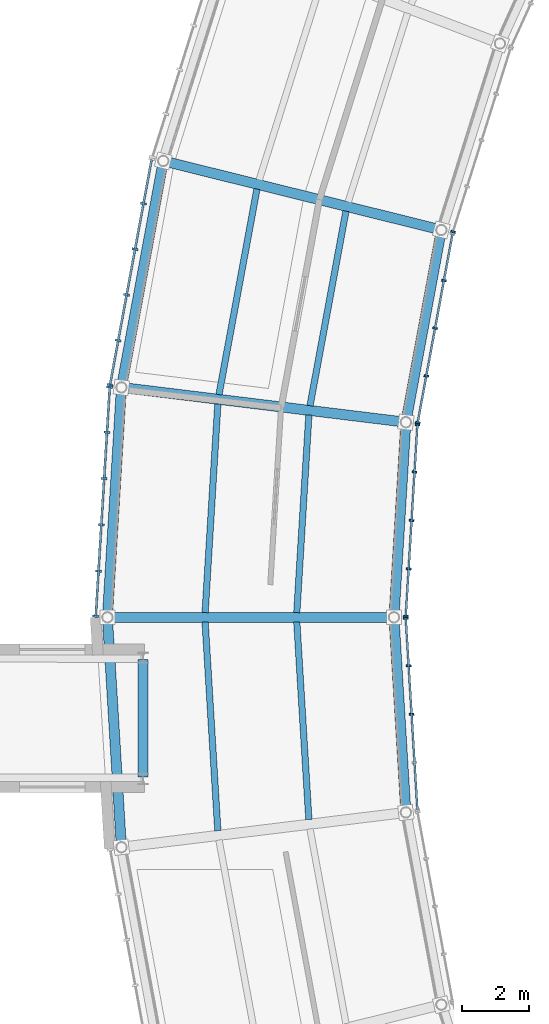
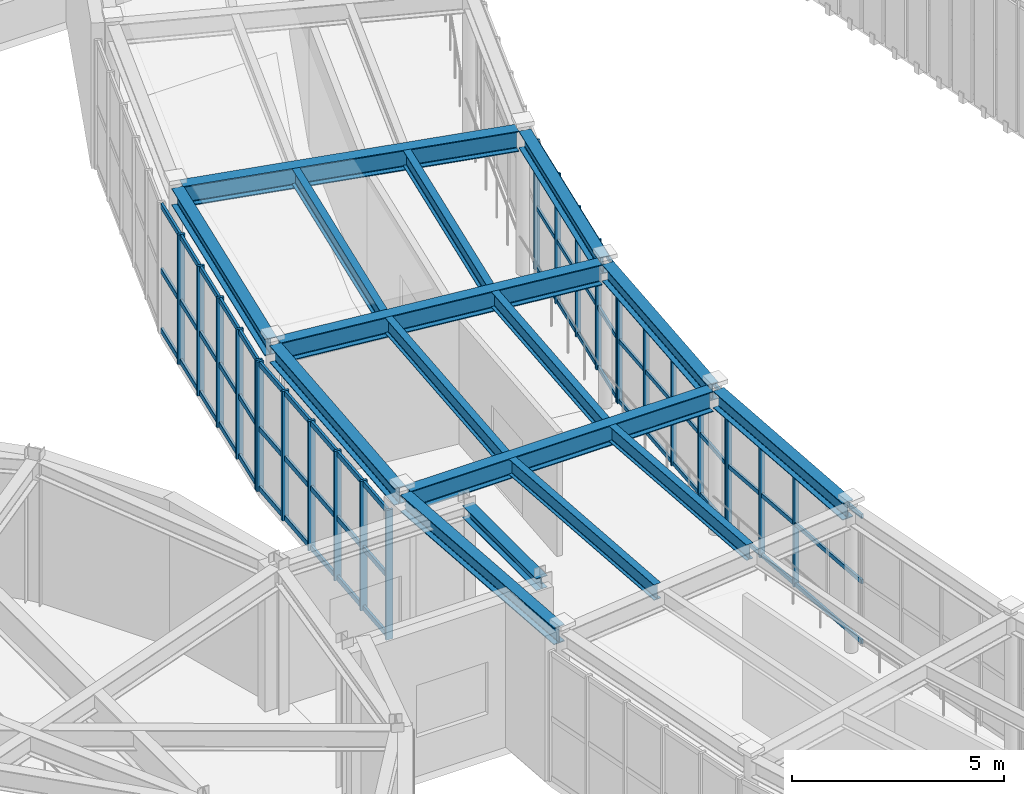
# One storey, part 24 of 103: 39 members, 16 beams, 6 elements without a shape of their own.
"""IFC4 building model written with IfcOpenShell, lengths in metres."""

from ifc_helpers import new_model, si_unit, direction, frame, origin, origin_2d, place, context, subcontext, project, spatial, rectangle, i_section, extrude, material, material_profile, profile_set, type_object, element, aggregate, save


model = new_model("IFC4")

# Units and contexts
model_context = context("Model", 3, precision=1e-05, world=origin(), true_north=direction((0.0, 1.0)))
body_context = subcontext(model_context, "Body", "Model", "MODEL_VIEW")
ifc_project = project(units=[si_unit("LENGTHUNIT", "METRE"), si_unit("AREAUNIT", "SQUARE_METRE"), si_unit("VOLUMEUNIT", "CUBIC_METRE"), si_unit("PLANEANGLEUNIT", "RADIAN"), si_unit("MASSUNIT", "GRAM", prefix="KILO")], contexts=[model_context])

# Site, building, storey
site_placement = place(None, origin())
site = spatial("IfcSite", under=ifc_project, at=site_placement, CompositionType="ELEMENT")
building_placement = place(site_placement, origin())
building = spatial("IfcBuilding", under=site, at=building_placement, Name="Varnklinge Art Gallery", CompositionType="ELEMENT")
storey_placement = place(building_placement, frame((0.0, 0.0, 5.10009765625)))
storey = spatial("IfcBuildingStorey", under=building, at=storey_placement, Name="L01", CompositionType="ELEMENT", Elevation=5.10009765625)

# Beams
ifc_material_1 = material(Name="Steel S355", Category="steel")
ifc_material_profile_1 = material_profile(ifc_material_1, i_section(OverallWidth=0.300048828125, OverallDepth=0.590087890625, WebThickness=0.012939453125, FlangeThickness=0.02490234375, FilletRadius=0.027099609375, at=origin_2d()), Name="HEA 600")
ifc_profile_set_1 = profile_set([ifc_material_profile_1], Name="Steel S355")
beam_type_1 = type_object("IfcBeamType", Name="BM-06", PredefinedType="BEAM", material=ifc_profile_set_1)
beam_1_placement = place(storey_placement, frame((41.53759765625, 68.531982421875, 3.885009765625), z_axis=(0.970493677731, -0.241126567355, 0.0), x_axis=(0.241126567355, 0.970493677731, 0.0)))
element("IfcBeam", 1, at=beam_1_placement, inside=storey, type_object=beam_type_1, Name="L01 BM-06 BM-V2-L02-R25", PredefinedType="BEAM", context=body_context, shape_type="SweptSolid", body=[
    extrude(i_section(OverallWidth=0.300048828125, OverallDepth=0.590087890625, WebThickness=0.012939453125, FlangeThickness=0.02490234375, FilletRadius=0.027099609375, at=origin_2d()), origin(), (0.0, 0.0, 1.0), 8.236572265625),
])
for number, where, z_axis, x_axis, name in (
    (2, (40.297119140625, 61.81640625, 3.885009765625), (0.992595580805, -0.121466098009, 0.0), (0.121466098009, 0.992595580805, 0.0), "L01 BM-06 BM-V2-L02-R26"),
    (3, (39.881591796875, 55.0, 3.885009765625), (1.0, 0.0, 0.0), (0.0, 1.0, 0.0), "L01 BM-06 BM-V2-L02-R27"),
):
    element("IfcBeam", number, at=place(storey_placement, frame(where, z_axis=z_axis, x_axis=x_axis)), inside=storey, type_object=beam_type_1, Name=name, PredefinedType="BEAM", context=body_context, shape_type="SweptSolid", body=[
        extrude(i_section(OverallWidth=0.300048828125, OverallDepth=0.590087890625, WebThickness=0.012939453125, FlangeThickness=0.02490234375, FilletRadius=0.027099609375, at=origin_2d()), origin(), (0.0, 0.0, 1.0), 8.23681640625),
    ])
ifc_material_2 = material(Name="Steel S355", Category="steel")
ifc_material_profile_2 = material_profile(ifc_material_2, i_section(OverallWidth=0.300048828125, OverallDepth=0.35009765625, WebThickness=0.010009765625, FlangeThickness=0.017578125, FilletRadius=0.027099609375, at=origin_2d()), Name="HEA 360")
ifc_profile_set_2 = profile_set([ifc_material_profile_2], Name="Steel S355")
beam_type_2 = type_object("IfcBeamType", Name="BM-10", PredefinedType="BEAM", material=ifc_profile_set_2)
beam_2_placement = place(storey_placement, frame((40.800048828125, 50.260009765625, 4.0048828125), z_axis=(0.0, 1.0, 0.0), x_axis=(-1.0, 0.0, 0.0)))
element("IfcBeam", 4, at=beam_2_placement, inside=storey, type_object=beam_type_2, Name="L01 BM-10 BM-LNK-V3-ROOF-2", PredefinedType="BEAM", context=body_context, shape_type="SweptSolid", body=[
    extrude(i_section(OverallWidth=0.300048828125, OverallDepth=0.35009765625, WebThickness=0.010009765625, FlangeThickness=0.017578125, FilletRadius=0.027099609375, at=origin_2d()), origin(), (0.0, 0.0, 1.0), 3.47998046875),
])
ifc_material_3 = material(Name="Steel S355", Category="steel")
ifc_material_profile_3 = material_profile(ifc_material_3, i_section(OverallWidth=0.18994140625, OverallDepth=0.449951171875, WebThickness=0.009521484375, FlangeThickness=0.0146484375, FilletRadius=0.02099609375, at=origin_2d()), Name="IPE 450")
ifc_profile_set_3 = profile_set([ifc_material_profile_3], Name="Steel S355")
beam_type_3 = type_object("IfcBeamType", Name="JST-04", PredefinedType="JOIST", material=ifc_profile_set_3)
beam_3_placement = place(storey_placement, frame((44.1865234375, 67.729736328125, 3.954833984375), z_axis=(-0.181640421722, -0.983365017273, 0.0), x_axis=(0.983365017273, -0.181640421722, 0.0)))
element("IfcBeam", 5, at=beam_3_placement, inside=storey, type_object=beam_type_3, Name="L01 JST-04 JST-V2-L02-25-1", PredefinedType="JOIST", context=body_context, shape_type="SweptSolid", body=[
    extrude(i_section(OverallWidth=0.18994140625, OverallDepth=0.449951171875, WebThickness=0.009521484375, FlangeThickness=0.0146484375, FilletRadius=0.02099609375, at=origin_2d()), origin(), (0.0, 0.0, 1.0), 6.213623046875),
])
beam_4_placement = place(storey_placement, frame((46.83154296875, 67.072509765625, 3.954833984375), z_axis=(-0.181631460363, -0.983366672512, 0.0), x_axis=(0.983366672512, -0.181631460363, 0.0)))
element("IfcBeam", 6, at=beam_4_placement, inside=storey, type_object=beam_type_3, Name="L01 JST-04 JST-V2-L02-25-2", PredefinedType="JOIST", context=body_context, shape_type="SweptSolid", body=[
    extrude(i_section(OverallWidth=0.18994140625, OverallDepth=0.449951171875, WebThickness=0.009521484375, FlangeThickness=0.0146484375, FilletRadius=0.02099609375, at=origin_2d()), origin(), (0.0, 0.0, 1.0), 5.882080078125),
])
beam_5_placement = place(storey_placement, frame((43.023681640625, 61.342041015625, 3.954833984375), z_axis=(-0.060820084919, -0.998148745063, 0.0), x_axis=(0.998148745063, -0.060820084919, 0.0)))
element("IfcBeam", 7, at=beam_5_placement, inside=storey, type_object=beam_type_3, Name="L01 JST-04 JST-V2-L02-26-1", PredefinedType="JOIST", context=body_context, shape_type="SweptSolid", body=[
    extrude(i_section(OverallWidth=0.18994140625, OverallDepth=0.449951171875, WebThickness=0.009521484375, FlangeThickness=0.0146484375, FilletRadius=0.02099609375, at=origin_2d()), origin(), (0.0, 0.0, 1.0), 6.2138671875),
])
beam_6_placement = place(storey_placement, frame((45.72900390625, 61.010986328125, 3.954833984375), z_axis=(-0.060845929193, -0.998147169961, 0.0), x_axis=(0.998147169961, -0.060845929193, 0.0)))
element("IfcBeam", 8, at=beam_6_placement, inside=storey, type_object=beam_type_3, Name="L01 JST-04 JST-V2-L02-26-2", PredefinedType="JOIST", context=body_context, shape_type="SweptSolid", body=[
    extrude(i_section(OverallWidth=0.18994140625, OverallDepth=0.449951171875, WebThickness=0.009521484375, FlangeThickness=0.0146484375, FilletRadius=0.02099609375, at=origin_2d()), origin(), (0.0, 0.0, 1.0), 5.88232421875),
])
beam_7_placement = place(storey_placement, frame((42.645751953125, 54.8603515625, 3.954833984375), z_axis=(0.060820084919, -0.998148745063, 0.0), x_axis=(0.998148745063, 0.060820084919, 0.0)))
element("IfcBeam", 9, at=beam_7_placement, inside=storey, type_object=beam_type_3, Name="L01 JST-04 JST-V2-L02-27-1", PredefinedType="JOIST", context=body_context, shape_type="SweptSolid", body=[
    extrude(i_section(OverallWidth=0.18994140625, OverallDepth=0.449951171875, WebThickness=0.009521484375, FlangeThickness=0.0146484375, FilletRadius=0.02099609375, at=origin_2d()), origin(), (0.0, 0.0, 1.0), 6.2138671875),
])
beam_8_placement = place(storey_placement, frame((45.37109375, 54.8603515625, 3.954833984375), z_axis=(0.060845929193, -0.998147169961, 0.0), x_axis=(0.998147169961, 0.060845929193, 0.0)))
element("IfcBeam", 10, at=beam_8_placement, inside=storey, type_object=beam_type_3, Name="L01 JST-04 JST-V2-L02-27-2", PredefinedType="JOIST", context=body_context, shape_type="SweptSolid", body=[
    extrude(i_section(OverallWidth=0.18994140625, OverallDepth=0.449951171875, WebThickness=0.009521484375, FlangeThickness=0.0146484375, FilletRadius=0.02099609375, at=origin_2d()), origin(), (0.0, 0.0, 1.0), 5.88232421875),
])

# Curtain wall, members
ifc_material_4 = material(Name="Anodised Aluminium", Category="aluminium")
curtain_wall_type_1 = type_object("IfcCurtainWallType", Name="CW-R02", PredefinedType="USERDEFINED", material=ifc_material_4)
curtain_wall_1_placement = place(storey_placement, origin())
curtain_wall_1 = element("IfcCurtainWall", 11, at=curtain_wall_1_placement, inside=storey, type_object=curtain_wall_type_1, Name="L01 Curtain Wall CW-V2O-L01-25", ObjectType="UNITISED CURTAIN WALL", PredefinedType="USERDEFINED")
ifc_material_5 = material(Name="Anodised Aluminium", Category="aluminium")
ifc_material_profile_4 = material_profile(ifc_material_5, rectangle(XDim=0.06494140625, YDim=0.179931640625, at=origin_2d()), Name="ALU 65x180")
ifc_profile_set_4 = profile_set([ifc_material_profile_4], Name="Anodised Aluminium")
member_type_1 = type_object("IfcMemberType", Name="MUL-01", PredefinedType="MULLION", material=ifc_profile_set_4)
member_1_placement = place(storey_placement, frame((40.8115234375, 67.29541015625, 0.0), z_axis=(0.0, 0.0, 1.0), x_axis=(-0.18172066947, -0.983350191075, 0.0)))
member_1 = element("IfcMember", 12, at=member_1_placement, type_object=member_type_1, Name="CW-V2O-L01-25 Mullion 2", PredefinedType="MULLION", context=body_context, shape_type="SweptSolid", body=[
    extrude(rectangle(XDim=0.06494140625, YDim=0.179931640625, at=origin_2d()), origin(), (0.0, 0.0, 1.0), 3.72998046875),
])
member_2_placement = place(storey_placement, frame((40.561279296875, 65.9404296875, 0.0), z_axis=(0.0, 0.0, 1.0), x_axis=(-0.18172066947, -0.983350191075, 0.0)))
member_2 = element("IfcMember", 13, at=member_2_placement, type_object=member_type_1, Name="CW-V2O-L01-25 Mullion 3", PredefinedType="MULLION", context=body_context, shape_type="SweptSolid", body=[
    extrude(rectangle(XDim=0.06494140625, YDim=0.179931640625, at=origin_2d()), origin(), (0.0, 0.0, 1.0), 3.72998046875),
])
member_3_placement = place(storey_placement, frame((40.31103515625, 64.585693359375, 0.0), z_axis=(0.0, 0.0, 1.0), x_axis=(-0.18172066947, -0.983350191075, 0.0)))
member_3 = element("IfcMember", 14, at=member_3_placement, type_object=member_type_1, Name="CW-V2O-L01-25 Mullion 4", PredefinedType="MULLION", context=body_context, shape_type="SweptSolid", body=[
    extrude(rectangle(XDim=0.06494140625, YDim=0.179931640625, at=origin_2d()), origin(), (0.0, 0.0, 1.0), 3.72998046875),
])
member_4_placement = place(storey_placement, frame((40.060791015625, 63.230712890625, 0.0), z_axis=(0.0, 0.0, 1.0), x_axis=(-0.18172066947, -0.983350191075, 0.0)))
member_4 = element("IfcMember", 15, at=member_4_placement, type_object=member_type_1, Name="CW-V2O-L01-25 Mullion 5", PredefinedType="MULLION", context=body_context, shape_type="SweptSolid", body=[
    extrude(rectangle(XDim=0.06494140625, YDim=0.179931640625, at=origin_2d()), origin(), (0.0, 0.0, 1.0), 3.72998046875),
])
member_5_placement = place(storey_placement, frame((39.81640625, 61.907958984375, 0.0), z_axis=(0.0, 0.0, 1.0), x_axis=(-0.18172066947, -0.983350191075, 0.0)))
member_5 = element("IfcMember", 16, at=member_5_placement, type_object=member_type_1, Name="CW-V2O-L01-25 Mullion 6", PredefinedType="MULLION", context=body_context, shape_type="SweptSolid", body=[
    extrude(rectangle(XDim=0.06494140625, YDim=0.179931640625, at=origin_2d()), origin(), (0.0, 0.0, 1.0), 3.72998046875),
])

curtain_wall_2_placement = place(storey_placement, origin())
curtain_wall_2 = element("IfcCurtainWall", 17, at=curtain_wall_2_placement, inside=storey, type_object=curtain_wall_type_1, Name="L01 Curtain Wall CW-V2O-L01-26", ObjectType="UNITISED CURTAIN WALL", PredefinedType="USERDEFINED")
member_6_placement = place(storey_placement, frame((39.80859375, 61.843505859375, 0.0), z_axis=(0.0, 0.0, 1.0), x_axis=(-0.06087433122, -0.9981454382, 0.0)))
member_6 = element("IfcMember", 18, at=member_6_placement, type_object=member_type_1, Name="CW-V2O-L01-26 Mullion 1", PredefinedType="MULLION", context=body_context, shape_type="SweptSolid", body=[
    extrude(rectangle(XDim=0.06494140625, YDim=0.179931640625, at=origin_2d()), origin(), (0.0, 0.0, 1.0), 3.72998046875),
])
member_7_placement = place(storey_placement, frame((39.726806640625, 60.500732421875, 0.0), z_axis=(0.0, 0.0, 1.0), x_axis=(-0.06087433122, -0.9981454382, 0.0)))
member_7 = element("IfcMember", 19, at=member_7_placement, type_object=member_type_1, Name="CW-V2O-L01-26 Mullion 2", PredefinedType="MULLION", context=body_context, shape_type="SweptSolid", body=[
    extrude(rectangle(XDim=0.06494140625, YDim=0.179931640625, at=origin_2d()), origin(), (0.0, 0.0, 1.0), 3.72998046875),
])
member_8_placement = place(storey_placement, frame((39.64306640625, 59.12548828125, 0.0), z_axis=(0.0, 0.0, 1.0), x_axis=(-0.06087433122, -0.9981454382, 0.0)))
member_8 = element("IfcMember", 20, at=member_8_placement, type_object=member_type_1, Name="CW-V2O-L01-26 Mullion 3", PredefinedType="MULLION", context=body_context, shape_type="SweptSolid", body=[
    extrude(rectangle(XDim=0.06494140625, YDim=0.179931640625, at=origin_2d()), origin(), (0.0, 0.0, 1.0), 3.72998046875),
])
member_9_placement = place(storey_placement, frame((39.55908203125, 57.75048828125, 0.0), z_axis=(0.0, 0.0, 1.0), x_axis=(-0.06087433122, -0.9981454382, 0.0)))
member_9 = element("IfcMember", 21, at=member_9_placement, type_object=member_type_1, Name="CW-V2O-L01-26 Mullion 4", PredefinedType="MULLION", context=body_context, shape_type="SweptSolid", body=[
    extrude(rectangle(XDim=0.06494140625, YDim=0.179931640625, at=origin_2d()), origin(), (0.0, 0.0, 1.0), 3.72998046875),
])
member_10_placement = place(storey_placement, frame((39.475341796875, 56.375244140625, 0.0), z_axis=(0.0, 0.0, 1.0), x_axis=(-0.06087433122, -0.9981454382, 0.0)))
member_10 = element("IfcMember", 22, at=member_10_placement, type_object=member_type_1, Name="CW-V2O-L01-26 Mullion 5", PredefinedType="MULLION", context=body_context, shape_type="SweptSolid", body=[
    extrude(rectangle(XDim=0.06494140625, YDim=0.179931640625, at=origin_2d()), origin(), (0.0, 0.0, 1.0), 3.72998046875),
])
member_11_placement = place(storey_placement, frame((39.3935546875, 55.032470703125, 0.0), z_axis=(0.0, 0.0, 1.0), x_axis=(-0.06087433122, -0.9981454382, 0.0)))
member_11 = element("IfcMember", 23, at=member_11_placement, type_object=member_type_1, Name="CW-V2O-L01-26 Mullion 6", PredefinedType="MULLION", context=body_context, shape_type="SweptSolid", body=[
    extrude(rectangle(XDim=0.06494140625, YDim=0.179931640625, at=origin_2d()), origin(), (0.0, 0.0, 1.0), 3.72998046875),
])

# Curtain wall, member
ifc_material_6 = material(Name="Anodised Aluminium", Category="aluminium")
curtain_wall_type_2 = type_object("IfcCurtainWallType", Name="CW-R04", PredefinedType="USERDEFINED", material=ifc_material_6)
curtain_wall_3_placement = place(storey_placement, origin())
curtain_wall_3 = element("IfcCurtainWall", 24, at=curtain_wall_3_placement, inside=storey, type_object=curtain_wall_type_2, Name="L01 Curtain Wall CW-V2I-L01-24", ObjectType="UNITISED CURTAIN WALL", PredefinedType="USERDEFINED")
ifc_material_7 = material(Name="Anodised Aluminium", Category="aluminium")
ifc_material_profile_5 = material_profile(ifc_material_7, rectangle(XDim=0.06005859375, YDim=0.139892578125, at=origin_2d()), Name="ALU 60x140")
ifc_profile_set_5 = profile_set([ifc_material_profile_5], Name="Anodised Aluminium")
member_type_2 = type_object("IfcMemberType", Name="MUL-03", PredefinedType="MULLION", material=ifc_profile_set_5)
member_12_placement = place(storey_placement, frame((50.015869140625, 66.456298828125, 0.0), z_axis=(0.0, 0.0, 1.0), x_axis=(0.299706904751, 0.954031326134, 0.0)))
member_12 = element("IfcMember", 25, at=member_12_placement, type_object=member_type_2, Name="CW-V2I-L01-24 Mullion 1", PredefinedType="MULLION", context=body_context, shape_type="SweptSolid", body=[
    extrude(rectangle(XDim=0.06005859375, YDim=0.139892578125, at=origin_2d()), origin(), (0.0, 0.0, 1.0), 3.72998046875),
])
aggregate(curtain_wall_3, [member_12])

# Curtain wall, members
curtain_wall_4_placement = place(storey_placement, origin())
curtain_wall_4 = element("IfcCurtainWall", 26, at=curtain_wall_4_placement, inside=storey, type_object=curtain_wall_type_2, Name="L01 Curtain Wall CW-V2I-L01-25", ObjectType="UNITISED CURTAIN WALL", PredefinedType="USERDEFINED")
member_13_placement = place(storey_placement, frame((48.96484375, 60.785888671875, 0.0), z_axis=(0.0, 0.0, 1.0), x_axis=(0.181549039717, 0.983381892338, 0.0)))
member_13 = element("IfcMember", 27, at=member_13_placement, type_object=member_type_2, Name="CW-V2I-L01-25 Mullion 1", PredefinedType="MULLION", context=body_context, shape_type="SweptSolid", body=[
    extrude(rectangle(XDim=0.06005859375, YDim=0.139892578125, at=origin_2d()), origin(), (0.0, 0.0, 1.0), 3.72998046875),
])
member_14_placement = place(storey_placement, frame((49.22119140625, 62.17431640625, 0.0), z_axis=(0.0, 0.0, 1.0), x_axis=(0.181549039717, 0.983381892338, 0.0)))
member_14 = element("IfcMember", 28, at=member_14_placement, type_object=member_type_2, Name="CW-V2I-L01-25 Mullion 2", PredefinedType="MULLION", context=body_context, shape_type="SweptSolid", body=[
    extrude(rectangle(XDim=0.06005859375, YDim=0.139892578125, at=origin_2d()), origin(), (0.0, 0.0, 1.0), 3.72998046875),
])
member_15_placement = place(storey_placement, frame((49.483154296875, 63.592041015625, 0.0), z_axis=(0.0, 0.0, 1.0), x_axis=(0.181549039717, 0.983381892338, 0.0)))
member_15 = element("IfcMember", 29, at=member_15_placement, type_object=member_type_2, Name="CW-V2I-L01-25 Mullion 3", PredefinedType="MULLION", context=body_context, shape_type="SweptSolid", body=[
    extrude(rectangle(XDim=0.06005859375, YDim=0.139892578125, at=origin_2d()), origin(), (0.0, 0.0, 1.0), 3.72998046875),
])
member_16_placement = place(storey_placement, frame((49.7451171875, 65.009765625, 0.0), z_axis=(0.0, 0.0, 1.0), x_axis=(0.181549039717, 0.983381892338, 0.0)))
member_16 = element("IfcMember", 30, at=member_16_placement, type_object=member_type_2, Name="CW-V2I-L01-25 Mullion 4", PredefinedType="MULLION", context=body_context, shape_type="SweptSolid", body=[
    extrude(rectangle(XDim=0.06005859375, YDim=0.139892578125, at=origin_2d()), origin(), (0.0, 0.0, 1.0), 3.72998046875),
])

curtain_wall_5_placement = place(storey_placement, origin())
curtain_wall_5 = element("IfcCurtainWall", 31, at=curtain_wall_5_placement, inside=storey, type_object=curtain_wall_type_2, Name="L01 Curtain Wall CW-V2I-L01-26", ObjectType="UNITISED CURTAIN WALL", PredefinedType="USERDEFINED")
member_17_placement = place(storey_placement, frame((48.6103515625, 55.02978515625, 0.0), z_axis=(0.0, 0.0, 1.0), x_axis=(0.06087433122, 0.9981454382, 0.0)))
member_17 = element("IfcMember", 32, at=member_17_placement, type_object=member_type_2, Name="CW-V2I-L01-26 Mullion 1", PredefinedType="MULLION", context=body_context, shape_type="SweptSolid", body=[
    extrude(rectangle(XDim=0.06005859375, YDim=0.139892578125, at=origin_2d()), origin(), (0.0, 0.0, 1.0), 3.72998046875),
])
member_18_placement = place(storey_placement, frame((48.6962890625, 56.439208984375, 0.0), z_axis=(0.0, 0.0, 1.0), x_axis=(0.06087433122, 0.9981454382, 0.0)))
member_18 = element("IfcMember", 33, at=member_18_placement, type_object=member_type_2, Name="CW-V2I-L01-26 Mullion 2", PredefinedType="MULLION", context=body_context, shape_type="SweptSolid", body=[
    extrude(rectangle(XDim=0.06005859375, YDim=0.139892578125, at=origin_2d()), origin(), (0.0, 0.0, 1.0), 3.72998046875),
])
member_19_placement = place(storey_placement, frame((48.783935546875, 57.878173828125, 0.0), z_axis=(0.0, 0.0, 1.0), x_axis=(0.06087433122, 0.9981454382, 0.0)))
member_19 = element("IfcMember", 34, at=member_19_placement, type_object=member_type_2, Name="CW-V2I-L01-26 Mullion 3", PredefinedType="MULLION", context=body_context, shape_type="SweptSolid", body=[
    extrude(rectangle(XDim=0.06005859375, YDim=0.139892578125, at=origin_2d()), origin(), (0.0, 0.0, 1.0), 3.72998046875),
])
member_20_placement = place(storey_placement, frame((48.87158203125, 59.3173828125, 0.0), z_axis=(0.0, 0.0, 1.0), x_axis=(0.06087433122, 0.9981454382, 0.0)))
member_20 = element("IfcMember", 35, at=member_20_placement, type_object=member_type_2, Name="CW-V2I-L01-26 Mullion 4", PredefinedType="MULLION", context=body_context, shape_type="SweptSolid", body=[
    extrude(rectangle(XDim=0.06005859375, YDim=0.139892578125, at=origin_2d()), origin(), (0.0, 0.0, 1.0), 3.72998046875),
])
member_21_placement = place(storey_placement, frame((48.95751953125, 60.7265625, 0.0), z_axis=(0.0, 0.0, 1.0), x_axis=(0.06087433122, 0.9981454382, 0.0)))
member_21 = element("IfcMember", 36, at=member_21_placement, type_object=member_type_2, Name="CW-V2I-L01-26 Mullion 5", PredefinedType="MULLION", context=body_context, shape_type="SweptSolid", body=[
    extrude(rectangle(XDim=0.06005859375, YDim=0.139892578125, at=origin_2d()), origin(), (0.0, 0.0, 1.0), 3.72998046875),
])

curtain_wall_6_placement = place(storey_placement, origin())
curtain_wall_6 = element("IfcCurtainWall", 37, at=curtain_wall_6_placement, inside=storey, type_object=curtain_wall_type_2, Name="L01 Curtain Wall CW-V2I-L01-27", ObjectType="UNITISED CURTAIN WALL", PredefinedType="USERDEFINED")
member_22_placement = place(storey_placement, frame((48.783935546875, 52.121826171875, 0.0), z_axis=(0.0, 0.0, 1.0), x_axis=(-0.06087433122, 0.9981454382, 0.0)))
member_22 = element("IfcMember", 38, at=member_22_placement, type_object=member_type_2, Name="CW-V2I-L01-27 Mullion 3", PredefinedType="MULLION", context=body_context, shape_type="SweptSolid", body=[
    extrude(rectangle(XDim=0.06005859375, YDim=0.139892578125, at=origin_2d()), origin(), (0.0, 0.0, 1.0), 3.72998046875),
])
member_23_placement = place(storey_placement, frame((48.6962890625, 53.560791015625, 0.0), z_axis=(0.0, 0.0, 1.0), x_axis=(-0.06087433122, 0.9981454382, 0.0)))
member_23 = element("IfcMember", 39, at=member_23_placement, type_object=member_type_2, Name="CW-V2I-L01-27 Mullion 4", PredefinedType="MULLION", context=body_context, shape_type="SweptSolid", body=[
    extrude(rectangle(XDim=0.06005859375, YDim=0.139892578125, at=origin_2d()), origin(), (0.0, 0.0, 1.0), 3.72998046875),
])
member_24_placement = place(storey_placement, frame((48.6103515625, 54.97021484375, 0.0), z_axis=(0.0, 0.0, 1.0), x_axis=(-0.06087433122, 0.9981454382, 0.0)))
member_24 = element("IfcMember", 40, at=member_24_placement, type_object=member_type_2, Name="CW-V2I-L01-27 Mullion 5", PredefinedType="MULLION", context=body_context, shape_type="SweptSolid", body=[
    extrude(rectangle(XDim=0.06005859375, YDim=0.139892578125, at=origin_2d()), origin(), (0.0, 0.0, 1.0), 3.72998046875),
])

# Beams
ifc_material_8 = material(Name="Steel S355", Category="steel")
ifc_material_profile_6 = material_profile(ifc_material_8, i_section(OverallWidth=0.300048828125, OverallDepth=0.489990234375, WebThickness=0.011962890625, FlangeThickness=0.02294921875, FilletRadius=0.027099609375, at=origin_2d()), Name="HEA 500")
ifc_profile_set_6 = profile_set([ifc_material_profile_6], Name="Steel S355")
beam_type_4 = type_object("IfcBeamType", Name="SPB-01", PredefinedType="SPANDREL", material=ifc_profile_set_6)
beam_9_placement = place(storey_placement, frame((41.376220703125, 68.427978515625, 3.934814453125), z_axis=(-0.181672496831, -0.983359092039, 0.0), x_axis=(0.983359092039, -0.181672496831, 0.0)))
element("IfcBeam", 41, at=beam_9_placement, inside=storey, type_object=beam_type_4, Name="L01 SPB-01 BM-V2-L02-O25", PredefinedType="SPANDREL", context=body_context, shape_type="SweptSolid", body=[
    extrude(i_section(OverallWidth=0.300048828125, OverallDepth=0.489990234375, WebThickness=0.011962890625, FlangeThickness=0.02294921875, FilletRadius=0.027099609375, at=origin_2d()), origin(), (0.0, 0.0, 1.0), 6.566162109375),
])
beam_10_placement = place(storey_placement, frame((49.641845703125, 66.374267578125, 3.934814453125), z_axis=(-0.181635496942, -0.983365926932, 0.0), x_axis=(0.983365926932, -0.181635496942, 0.0)))
element("IfcBeam", 42, at=beam_10_placement, inside=storey, type_object=beam_type_4, Name="L01 SPB-01 BM-V2-L02-I25", PredefinedType="SPANDREL", context=body_context, shape_type="SweptSolid", body=[
    extrude(i_section(OverallWidth=0.300048828125, OverallDepth=0.489990234375, WebThickness=0.011962890625, FlangeThickness=0.02294921875, FilletRadius=0.027099609375, at=origin_2d()), origin(), (0.0, 0.0, 1.0), 5.52978515625),
])
beam_11_placement = place(storey_placement, frame((40.1494140625, 61.69384765625, 3.934814453125), z_axis=(-0.060827334582, -0.998148303293, 0.0), x_axis=(0.998148303293, -0.060827334582, 0.0)))
element("IfcBeam", 43, at=beam_11_placement, inside=storey, type_object=beam_type_4, Name="L01 SPB-01 BM-V2-L02-O26", PredefinedType="SPANDREL", context=body_context, shape_type="SweptSolid", body=[
    extrude(i_section(OverallWidth=0.300048828125, OverallDepth=0.489990234375, WebThickness=0.011962890625, FlangeThickness=0.02294921875, FilletRadius=0.027099609375, at=origin_2d()), origin(), (0.0, 0.0, 1.0), 6.56640625),
])
beam_12_placement = place(storey_placement, frame((48.603515625, 60.6591796875, 3.934814453125), z_axis=(-0.06083896784, -0.998147594293, 0.0), x_axis=(0.998147594293, -0.06083896784, 0.0)))
element("IfcBeam", 44, at=beam_12_placement, inside=storey, type_object=beam_type_4, Name="L01 SPB-01 BM-V2-L02-I26", PredefinedType="SPANDREL", context=body_context, shape_type="SweptSolid", body=[
    extrude(i_section(OverallWidth=0.300048828125, OverallDepth=0.489990234375, WebThickness=0.011962890625, FlangeThickness=0.02294921875, FilletRadius=0.027099609375, at=origin_2d()), origin(), (0.0, 0.0, 1.0), 5.52978515625),
])
beam_13_placement = place(storey_placement, frame((39.75, 54.8603515625, 3.934814453125), z_axis=(0.060827334582, -0.998148303293, 0.0), x_axis=(0.998148303293, 0.060827334582, 0.0)))
element("IfcBeam", 45, at=beam_13_placement, inside=storey, type_object=beam_type_4, Name="L01 SPB-01 BM-V2-L02-O27", PredefinedType="SPANDREL", context=body_context, shape_type="SweptSolid", body=[
    extrude(i_section(OverallWidth=0.300048828125, OverallDepth=0.489990234375, WebThickness=0.011962890625, FlangeThickness=0.02294921875, FilletRadius=0.027099609375, at=origin_2d()), origin(), (0.0, 0.0, 1.0), 6.56640625),
])
beam_14_placement = place(storey_placement, frame((48.26708984375, 54.8603515625, 3.934814453125), z_axis=(0.06083896784, -0.998147594293, 0.0), x_axis=(0.998147594293, 0.06083896784, 0.0)))
element("IfcBeam", 46, at=beam_14_placement, inside=storey, type_object=beam_type_4, Name="L01 SPB-01 BM-V2-L02-I27", PredefinedType="SPANDREL", context=body_context, shape_type="SweptSolid", body=[
    extrude(i_section(OverallWidth=0.300048828125, OverallDepth=0.489990234375, WebThickness=0.011962890625, FlangeThickness=0.02294921875, FilletRadius=0.027099609375, at=origin_2d()), origin(), (0.0, 0.0, 1.0), 5.52978515625),
])

# Member
ifc_material_9 = material(Name="Anodised Aluminium", Category="aluminium")
ifc_material_profile_7 = material_profile(ifc_material_9, rectangle(XDim=0.06494140625, YDim=0.14990234375, at=origin_2d()), Name="ALU 65x150")
ifc_profile_set_7 = profile_set([ifc_material_profile_7], Name="Anodised Aluminium")
member_type_3 = type_object("IfcMemberType", Name="TRN-01", PredefinedType="USERDEFINED", material=ifc_profile_set_7)
member_25_placement = place(storey_placement, frame((41.055908203125, 68.6181640625, 0.074951171875), z_axis=(-0.181645952551, -0.98336399564, 0.0), x_axis=(0.98336399564, -0.181645952551, 0.0)))
member_25 = element("IfcMember", 47, at=member_25_placement, type_object=member_type_3, Name="CW-V2O-L01-25 Transom 1", ObjectType="TRANSOM", PredefinedType="USERDEFINED", context=body_context, shape_type="SweptSolid", body=[
    extrude(rectangle(XDim=0.06494140625, YDim=0.14990234375, at=origin_2d()), origin(), (0.0, 0.0, 1.0), 6.82373046875),
])

member_26_placement = place(storey_placement, frame((41.055908203125, 68.6181640625, 1.790283203125), z_axis=(-0.181645952551, -0.98336399564, 0.0), x_axis=(0.98336399564, -0.181645952551, 0.0)))
member_26 = element("IfcMember", 48, at=member_26_placement, type_object=member_type_3, Name="CW-V2O-L01-25 Transom 2", ObjectType="TRANSOM", PredefinedType="USERDEFINED", context=body_context, shape_type="SweptSolid", body=[
    extrude(rectangle(XDim=0.06494140625, YDim=0.14990234375, at=origin_2d()), origin(), (0.0, 0.0, 1.0), 6.82373046875),
])

member_27_placement = place(storey_placement, frame((41.055908203125, 68.6181640625, 3.65478515625), z_axis=(-0.181645952551, -0.98336399564, 0.0), x_axis=(0.98336399564, -0.181645952551, 0.0)))
member_27 = element("IfcMember", 49, at=member_27_placement, type_object=member_type_3, Name="CW-V2O-L01-25 Transom 3", ObjectType="TRANSOM", PredefinedType="USERDEFINED", context=body_context, shape_type="SweptSolid", body=[
    extrude(rectangle(XDim=0.06494140625, YDim=0.14990234375, at=origin_2d()), origin(), (0.0, 0.0, 1.0), 6.82373046875),
])

aggregate(curtain_wall_1, [member_1, member_2, member_3, member_4, member_5, member_25, member_26, member_27])

member_28_placement = place(storey_placement, frame((39.80859375, 61.843505859375, 0.074951171875), z_axis=(-0.060823446783, -0.998148540209, 0.0), x_axis=(0.998148540209, -0.060823446783, 0.0)))
member_28 = element("IfcMember", 50, at=member_28_placement, type_object=member_type_3, Name="CW-V2O-L01-26 Transom 1", ObjectType="TRANSOM", PredefinedType="USERDEFINED", context=body_context, shape_type="SweptSolid", body=[
    extrude(rectangle(XDim=0.06494140625, YDim=0.14990234375, at=origin_2d()), origin(), (0.0, 0.0, 1.0), 6.82373046875),
])

member_29_placement = place(storey_placement, frame((39.80859375, 61.843505859375, 1.790283203125), z_axis=(-0.060823446783, -0.998148540209, 0.0), x_axis=(0.998148540209, -0.060823446783, 0.0)))
member_29 = element("IfcMember", 51, at=member_29_placement, type_object=member_type_3, Name="CW-V2O-L01-26 Transom 2", ObjectType="TRANSOM", PredefinedType="USERDEFINED", context=body_context, shape_type="SweptSolid", body=[
    extrude(rectangle(XDim=0.06494140625, YDim=0.14990234375, at=origin_2d()), origin(), (0.0, 0.0, 1.0), 6.82373046875),
])

member_30_placement = place(storey_placement, frame((39.80859375, 61.843505859375, 3.65478515625), z_axis=(-0.060823446783, -0.998148540209, 0.0), x_axis=(0.998148540209, -0.060823446783, 0.0)))
member_30 = element("IfcMember", 52, at=member_30_placement, type_object=member_type_3, Name="CW-V2O-L01-26 Transom 3", ObjectType="TRANSOM", PredefinedType="USERDEFINED", context=body_context, shape_type="SweptSolid", body=[
    extrude(rectangle(XDim=0.06494140625, YDim=0.14990234375, at=origin_2d()), origin(), (0.0, 0.0, 1.0), 6.82373046875),
])

aggregate(curtain_wall_2, [member_6, member_7, member_8, member_9, member_10, member_11, member_28, member_29, member_30])

ifc_material_10 = material(Name="Anodised Aluminium", Category="aluminium")
ifc_material_profile_8 = material_profile(ifc_material_10, rectangle(XDim=0.06005859375, YDim=0.1201171875, at=origin_2d()), Name="ALU 60x120")
ifc_profile_set_8 = profile_set([ifc_material_profile_8], Name="Anodised Aluminium")
member_type_4 = type_object("IfcMemberType", Name="TRN-02", PredefinedType="USERDEFINED", material=ifc_profile_set_8)
member_31_placement = place(storey_placement, frame((48.96484375, 60.785888671875, 0.059814453125), z_axis=(0.181632759384, 0.983366432577, 0.0), x_axis=(-0.983366432577, 0.181632759384, 0.0)))
member_31 = element("IfcMember", 53, at=member_31_placement, type_object=member_type_4, Name="CW-V2I-L01-25 Transom 1", ObjectType="TRANSOM", PredefinedType="USERDEFINED", context=body_context, shape_type="SweptSolid", body=[
    extrude(rectangle(XDim=0.06005859375, YDim=0.1201171875, at=origin_2d()), origin(), (0.0, 0.0, 1.0), 5.707275390625),
])

member_32_placement = place(storey_placement, frame((48.96484375, 60.785888671875, 1.790283203125), z_axis=(0.181632759384, 0.983366432577, 0.0), x_axis=(-0.983366432577, 0.181632759384, 0.0)))
member_32 = element("IfcMember", 54, at=member_32_placement, type_object=member_type_4, Name="CW-V2I-L01-25 Transom 2", ObjectType="TRANSOM", PredefinedType="USERDEFINED", context=body_context, shape_type="SweptSolid", body=[
    extrude(rectangle(XDim=0.06005859375, YDim=0.1201171875, at=origin_2d()), origin(), (0.0, 0.0, 1.0), 5.707275390625),
])

member_33_placement = place(storey_placement, frame((48.96484375, 60.785888671875, 3.669921875), z_axis=(0.181632759384, 0.983366432577, 0.0), x_axis=(-0.983366432577, 0.181632759384, 0.0)))
member_33 = element("IfcMember", 55, at=member_33_placement, type_object=member_type_4, Name="CW-V2I-L01-25 Transom 3", ObjectType="TRANSOM", PredefinedType="USERDEFINED", context=body_context, shape_type="SweptSolid", body=[
    extrude(rectangle(XDim=0.06005859375, YDim=0.1201171875, at=origin_2d()), origin(), (0.0, 0.0, 1.0), 5.707275390625),
])

aggregate(curtain_wall_4, [member_13, member_14, member_15, member_16, member_31, member_32, member_33])

member_34_placement = place(storey_placement, frame((48.6103515625, 55.02978515625, 0.059814453125), z_axis=(0.060828268038, 0.998148246408, 0.0), x_axis=(-0.998148246408, 0.060828268038, 0.0)))
member_34 = element("IfcMember", 56, at=member_34_placement, type_object=member_type_4, Name="CW-V2I-L01-26 Transom 1", ObjectType="TRANSOM", PredefinedType="USERDEFINED", context=body_context, shape_type="SweptSolid", body=[
    extrude(rectangle(XDim=0.06005859375, YDim=0.1201171875, at=origin_2d()), origin(), (0.0, 0.0, 1.0), 5.707275390625),
])

member_35_placement = place(storey_placement, frame((48.6103515625, 55.02978515625, 1.790283203125), z_axis=(0.060828268038, 0.998148246408, 0.0), x_axis=(-0.998148246408, 0.060828268038, 0.0)))
member_35 = element("IfcMember", 57, at=member_35_placement, type_object=member_type_4, Name="CW-V2I-L01-26 Transom 2", ObjectType="TRANSOM", PredefinedType="USERDEFINED", context=body_context, shape_type="SweptSolid", body=[
    extrude(rectangle(XDim=0.06005859375, YDim=0.1201171875, at=origin_2d()), origin(), (0.0, 0.0, 1.0), 5.707275390625),
])

member_36_placement = place(storey_placement, frame((48.6103515625, 55.02978515625, 3.669921875), z_axis=(0.060828268038, 0.998148246408, 0.0), x_axis=(-0.998148246408, 0.060828268038, 0.0)))
member_36 = element("IfcMember", 58, at=member_36_placement, type_object=member_type_4, Name="CW-V2I-L01-26 Transom 3", ObjectType="TRANSOM", PredefinedType="USERDEFINED", context=body_context, shape_type="SweptSolid", body=[
    extrude(rectangle(XDim=0.06005859375, YDim=0.1201171875, at=origin_2d()), origin(), (0.0, 0.0, 1.0), 5.707275390625),
])

aggregate(curtain_wall_5, [member_17, member_18, member_19, member_20, member_21, member_34, member_35, member_36])

member_37_placement = place(storey_placement, frame((48.95751953125, 49.2734375, 0.059814453125), z_axis=(-0.060828268038, 0.998148246408, 0.0), x_axis=(-0.998148246408, -0.060828268038, 0.0)))
member_37 = element("IfcMember", 59, at=member_37_placement, type_object=member_type_4, Name="CW-V2I-L01-27 Transom 1", ObjectType="TRANSOM", PredefinedType="USERDEFINED", context=body_context, shape_type="SweptSolid", body=[
    extrude(rectangle(XDim=0.06005859375, YDim=0.1201171875, at=origin_2d()), origin(), (0.0, 0.0, 1.0), 5.707275390625),
])

member_38_placement = place(storey_placement, frame((48.95751953125, 49.2734375, 1.790283203125), z_axis=(-0.060828268038, 0.998148246408, 0.0), x_axis=(-0.998148246408, -0.060828268038, 0.0)))
member_38 = element("IfcMember", 60, at=member_38_placement, type_object=member_type_4, Name="CW-V2I-L01-27 Transom 2", ObjectType="TRANSOM", PredefinedType="USERDEFINED", context=body_context, shape_type="SweptSolid", body=[
    extrude(rectangle(XDim=0.06005859375, YDim=0.1201171875, at=origin_2d()), origin(), (0.0, 0.0, 1.0), 5.707275390625),
])

member_39_placement = place(storey_placement, frame((48.95751953125, 49.2734375, 3.669921875), z_axis=(-0.060828268038, 0.998148246408, 0.0), x_axis=(-0.998148246408, -0.060828268038, 0.0)))
member_39 = element("IfcMember", 61, at=member_39_placement, type_object=member_type_4, Name="CW-V2I-L01-27 Transom 3", ObjectType="TRANSOM", PredefinedType="USERDEFINED", context=body_context, shape_type="SweptSolid", body=[
    extrude(rectangle(XDim=0.06005859375, YDim=0.1201171875, at=origin_2d()), origin(), (0.0, 0.0, 1.0), 5.707275390625),
])

aggregate(curtain_wall_6, [member_22, member_23, member_24, member_37, member_38, member_39])

save(model, "model.ifc")
